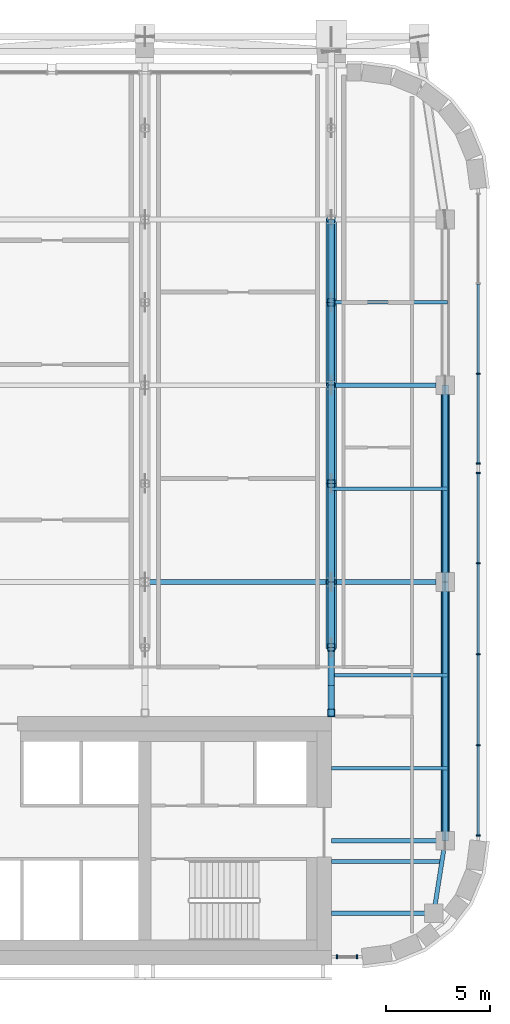
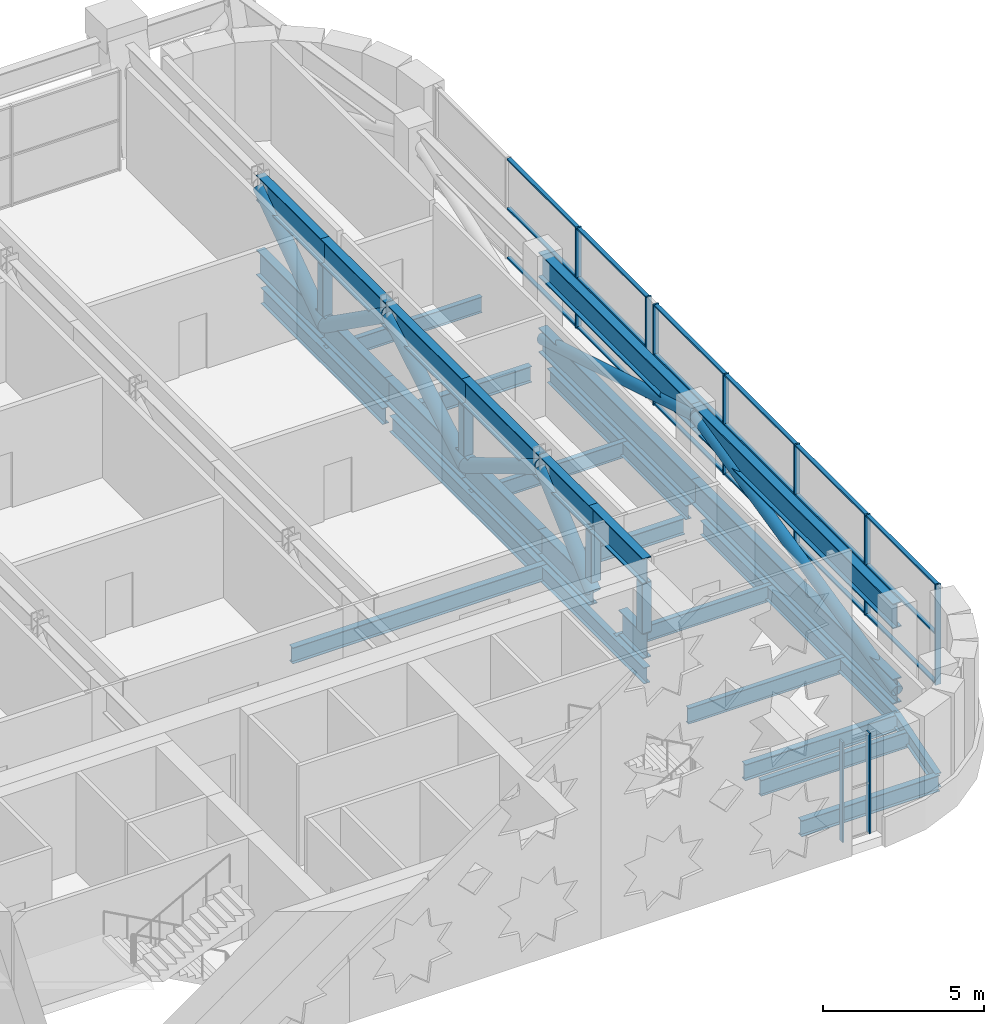
# One storey, part 11 of 26: 54 members, 14 beams, 3 elements without a shape of their own.
"""IFC4 building model written with IfcOpenShell, lengths in metres."""

from ifc_helpers import new_model, si_unit, direction, frame, origin, origin_2d, place, context, subcontext, project, spatial, rectangle, hollow_rectangle, hollow_circle, i_section, extrude, material, material_profile, profile_set, type_object, element, aggregate, save


model = new_model("IFC4")

# Units and contexts
model_context = context("Model", 3, precision=1e-05, world=origin(), true_north=direction((0.0, 1.0)))
body_context = subcontext(model_context, "Body", "Model", "MODEL_VIEW")
ifc_project = project(units=[si_unit("LENGTHUNIT", "METRE"), si_unit("AREAUNIT", "SQUARE_METRE"), si_unit("VOLUMEUNIT", "CUBIC_METRE"), si_unit("PLANEANGLEUNIT", "RADIAN"), si_unit("MASSUNIT", "GRAM", prefix="KILO")], contexts=[model_context])

# Site, building, storey
site_placement = place(None, origin())
site = spatial("IfcSite", under=ifc_project, at=site_placement, CompositionType="ELEMENT")
building_placement = place(site_placement, origin())
building = spatial("IfcBuilding", under=site, at=building_placement, Name="Zellij Exchange Tower", CompositionType="ELEMENT")
storey_placement = place(building_placement, frame((0.0, 0.0, 216.5)))
storey = spatial("IfcBuildingStorey", under=building, at=storey_placement, Name="L50", CompositionType="ELEMENT", Elevation=216.5)

# Curtain wall, members
ifc_material_1 = material(Name="Aluminium frame, clear insulating glass", Category="aluminium")
curtain_wall_type = type_object("IfcCurtainWallType", Name="ENV-CW2 Outrigger-storey glazing", PredefinedType="NOTDEFINED", material=ifc_material_1)
curtain_wall_1_placement = place(storey_placement, origin())
curtain_wall_1 = element("IfcCurtainWall", 1, at=curtain_wall_1_placement, inside=storey, type_object=curtain_wall_type, Name="cw.L50.00b", PredefinedType="NOTDEFINED")
ifc_material_2 = material(Name="Aluminium", Category="aluminium")
ifc_material_profile_1 = material_profile(ifc_material_2, rectangle(XDim=0.06005859375, YDim=0.199951171875, at=origin_2d()), Name="AL 60x200")
ifc_profile_set_1 = profile_set([ifc_material_profile_1], Name="Aluminium")
member_type_1 = type_object("IfcMemberType", Name="ENV-CW2M Mullion 60x200", PredefinedType="MULLION", material=ifc_profile_set_1)
member_1_placement = place(storey_placement, frame((27.280029296875, -13.60009765625, 0.0), z_axis=(0.0, 0.0, 1.0), x_axis=(1.0, 0.0, 0.0)))
member_1 = element("IfcMember", 2, at=member_1_placement, type_object=member_type_1, Name="CW2 mullion 1", PredefinedType="MULLION", context=body_context, shape_type="SweptSolid", body=[
    extrude(rectangle(XDim=0.06005859375, YDim=0.199951171875, at=origin_2d()), origin(), (0.0, 0.0, 1.0), 3.800048828125),
])
member_2_placement = place(storey_placement, frame((28.243896484375, -13.60009765625, 0.0), z_axis=(0.0, 0.0, 1.0), x_axis=(1.0, 0.0, 0.0)))
member_2 = element("IfcMember", 3, at=member_2_placement, type_object=member_type_1, Name="CW2 mullion 2", PredefinedType="MULLION", context=body_context, shape_type="SweptSolid", body=[
    extrude(rectangle(XDim=0.06005859375, YDim=0.199951171875, at=origin_2d()), origin(), (0.0, 0.0, 1.0), 3.800048828125),
])
aggregate(curtain_wall_1, [member_1, member_2])

curtain_wall_2_placement = place(storey_placement, origin())
curtain_wall_2 = element("IfcCurtainWall", 4, at=curtain_wall_2_placement, inside=storey, type_object=curtain_wall_type, Name="cw.L50.07a", PredefinedType="NOTDEFINED")
member_3_placement = place(storey_placement, frame((34.10009765625, -7.743896484375, 0.0), z_axis=(0.0, 0.0, 1.0), x_axis=(0.0, 1.0, 0.0)))
member_3 = element("IfcMember", 5, at=member_3_placement, type_object=member_type_1, Name="CW2 mullion 1", PredefinedType="MULLION", context=body_context, shape_type="SweptSolid", body=[
    extrude(rectangle(XDim=0.06005859375, YDim=0.199951171875, at=origin_2d()), origin(), (0.0, 0.0, 1.0), 3.800048828125),
])
member_4_placement = place(storey_placement, frame((34.10009765625, -3.38134765625, 0.0), z_axis=(0.0, 0.0, 1.0), x_axis=(0.0, 1.0, 0.0)))
member_4 = element("IfcMember", 6, at=member_4_placement, type_object=member_type_1, Name="CW2 mullion 2", PredefinedType="MULLION", context=body_context, shape_type="SweptSolid", body=[
    extrude(rectangle(XDim=0.06005859375, YDim=0.199951171875, at=origin_2d()), origin(), (0.0, 0.0, 1.0), 3.800048828125),
])
member_5_placement = place(storey_placement, frame((34.10009765625, 1.01123046875, 0.0), z_axis=(0.0, 0.0, 1.0), x_axis=(0.0, 1.0, 0.0)))
member_5 = element("IfcMember", 7, at=member_5_placement, type_object=member_type_1, Name="CW2 mullion 3", PredefinedType="MULLION", context=body_context, shape_type="SweptSolid", body=[
    extrude(rectangle(XDim=0.06005859375, YDim=0.199951171875, at=origin_2d()), origin(), (0.0, 0.0, 1.0), 3.800048828125),
])
member_6_placement = place(storey_placement, frame((34.10009765625, 5.40380859375, 0.0), z_axis=(0.0, 0.0, 1.0), x_axis=(0.0, 1.0, 0.0)))
member_6 = element("IfcMember", 8, at=member_6_placement, type_object=member_type_1, Name="CW2 mullion 4", PredefinedType="MULLION", context=body_context, shape_type="SweptSolid", body=[
    extrude(rectangle(XDim=0.06005859375, YDim=0.199951171875, at=origin_2d()), origin(), (0.0, 0.0, 1.0), 3.800048828125),
])
member_7_placement = place(storey_placement, frame((34.10009765625, 9.76611328125, 0.0), z_axis=(0.0, 0.0, 1.0), x_axis=(0.0, 1.0, 0.0)))
member_7 = element("IfcMember", 9, at=member_7_placement, type_object=member_type_1, Name="CW2 mullion 5", PredefinedType="MULLION", context=body_context, shape_type="SweptSolid", body=[
    extrude(rectangle(XDim=0.06005859375, YDim=0.199951171875, at=origin_2d()), origin(), (0.0, 0.0, 1.0), 3.800048828125),
])

curtain_wall_3_placement = place(storey_placement, origin())
curtain_wall_3 = element("IfcCurtainWall", 10, at=curtain_wall_3_placement, inside=storey, type_object=curtain_wall_type, Name="cw.L50.07b", PredefinedType="NOTDEFINED")
member_8_placement = place(storey_placement, frame((34.10009765625, 10.226318359375, 0.0), z_axis=(0.0, 0.0, 1.0), x_axis=(0.0, 1.0, 0.0)))
member_8 = element("IfcMember", 11, at=member_8_placement, type_object=member_type_1, Name="CW2 mullion 1", PredefinedType="MULLION", context=body_context, shape_type="SweptSolid", body=[
    extrude(rectangle(XDim=0.06005859375, YDim=0.199951171875, at=origin_2d()), origin(), (0.0, 0.0, 1.0), 3.800048828125),
])
member_9_placement = place(storey_placement, frame((34.10009765625, 14.555419921875, 0.0), z_axis=(0.0, 0.0, 1.0), x_axis=(0.0, 1.0, 0.0)))
member_9 = element("IfcMember", 12, at=member_9_placement, type_object=member_type_1, Name="CW2 mullion 2", PredefinedType="MULLION", context=body_context, shape_type="SweptSolid", body=[
    extrude(rectangle(XDim=0.06005859375, YDim=0.199951171875, at=origin_2d()), origin(), (0.0, 0.0, 1.0), 3.800048828125),
])

# Member
ifc_material_profile_2 = material_profile(ifc_material_2, rectangle(XDim=0.139892578125, YDim=0.06005859375, at=origin_2d()), Name="AL 140x60")
ifc_profile_set_2 = profile_set([ifc_material_profile_2], Name="Aluminium")
member_type_2 = type_object("IfcMemberType", Name="ENV-CW2T Transom 140x60", PredefinedType="USERDEFINED", material=ifc_profile_set_2)
member_10_placement = place(storey_placement, frame((34.10009765625, -7.7138671875, 0.030029296875), z_axis=(0.0, 1.0, 0.0), x_axis=(-1.0, 0.0, 0.0)))
member_10 = element("IfcMember", 13, at=member_10_placement, type_object=member_type_2, Name="CW2 transom 1.1", ObjectType="TRANSOM", PredefinedType="USERDEFINED", context=body_context, shape_type="SweptSolid", body=[
    extrude(rectangle(XDim=0.139892578125, YDim=0.06005859375, at=origin_2d()), origin(), (0.0, 0.0, 1.0), 4.302490234375),
])

member_11_placement = place(storey_placement, frame((34.10009765625, -7.7138671875, 1.89990234375), z_axis=(0.0, 1.0, 0.0), x_axis=(-1.0, 0.0, 0.0)))
member_11 = element("IfcMember", 14, at=member_11_placement, type_object=member_type_2, Name="CW2 transom 1.2", ObjectType="TRANSOM", PredefinedType="USERDEFINED", context=body_context, shape_type="SweptSolid", body=[
    extrude(rectangle(XDim=0.139892578125, YDim=0.06005859375, at=origin_2d()), origin(), (0.0, 0.0, 1.0), 4.302490234375),
])

member_12_placement = place(storey_placement, frame((34.10009765625, -7.7138671875, 3.77001953125), z_axis=(0.0, 1.0, 0.0), x_axis=(-1.0, 0.0, 0.0)))
member_12 = element("IfcMember", 15, at=member_12_placement, type_object=member_type_2, Name="CW2 transom 1.3", ObjectType="TRANSOM", PredefinedType="USERDEFINED", context=body_context, shape_type="SweptSolid", body=[
    extrude(rectangle(XDim=0.139892578125, YDim=0.06005859375, at=origin_2d()), origin(), (0.0, 0.0, 1.0), 4.302490234375),
])

member_13_placement = place(storey_placement, frame((34.10009765625, -3.351318359375, 0.030029296875), z_axis=(0.0, 1.0, 0.0), x_axis=(-1.0, 0.0, 0.0)))
member_13 = element("IfcMember", 16, at=member_13_placement, type_object=member_type_2, Name="CW2 transom 2.1", ObjectType="TRANSOM", PredefinedType="USERDEFINED", context=body_context, shape_type="SweptSolid", body=[
    extrude(rectangle(XDim=0.139892578125, YDim=0.06005859375, at=origin_2d()), origin(), (0.0, 0.0, 1.0), 4.33251953125),
])

member_14_placement = place(storey_placement, frame((34.10009765625, -3.351318359375, 1.89990234375), z_axis=(0.0, 1.0, 0.0), x_axis=(-1.0, 0.0, 0.0)))
member_14 = element("IfcMember", 17, at=member_14_placement, type_object=member_type_2, Name="CW2 transom 2.2", ObjectType="TRANSOM", PredefinedType="USERDEFINED", context=body_context, shape_type="SweptSolid", body=[
    extrude(rectangle(XDim=0.139892578125, YDim=0.06005859375, at=origin_2d()), origin(), (0.0, 0.0, 1.0), 4.33251953125),
])

member_15_placement = place(storey_placement, frame((34.10009765625, -3.351318359375, 3.77001953125), z_axis=(0.0, 1.0, 0.0), x_axis=(-1.0, 0.0, 0.0)))
member_15 = element("IfcMember", 18, at=member_15_placement, type_object=member_type_2, Name="CW2 transom 2.3", ObjectType="TRANSOM", PredefinedType="USERDEFINED", context=body_context, shape_type="SweptSolid", body=[
    extrude(rectangle(XDim=0.139892578125, YDim=0.06005859375, at=origin_2d()), origin(), (0.0, 0.0, 1.0), 4.33251953125),
])

member_16_placement = place(storey_placement, frame((34.10009765625, 1.041259765625, 0.030029296875), z_axis=(0.0, 1.0, 0.0), x_axis=(-1.0, 0.0, 0.0)))
member_16 = element("IfcMember", 19, at=member_16_placement, type_object=member_type_2, Name="CW2 transom 3.1", ObjectType="TRANSOM", PredefinedType="USERDEFINED", context=body_context, shape_type="SweptSolid", body=[
    extrude(rectangle(XDim=0.139892578125, YDim=0.06005859375, at=origin_2d()), origin(), (0.0, 0.0, 1.0), 4.33251953125),
])

member_17_placement = place(storey_placement, frame((34.10009765625, 1.041259765625, 1.89990234375), z_axis=(0.0, 1.0, 0.0), x_axis=(-1.0, 0.0, 0.0)))
member_17 = element("IfcMember", 20, at=member_17_placement, type_object=member_type_2, Name="CW2 transom 3.2", ObjectType="TRANSOM", PredefinedType="USERDEFINED", context=body_context, shape_type="SweptSolid", body=[
    extrude(rectangle(XDim=0.139892578125, YDim=0.06005859375, at=origin_2d()), origin(), (0.0, 0.0, 1.0), 4.33251953125),
])

member_18_placement = place(storey_placement, frame((34.10009765625, 1.041259765625, 3.77001953125), z_axis=(0.0, 1.0, 0.0), x_axis=(-1.0, 0.0, 0.0)))
member_18 = element("IfcMember", 21, at=member_18_placement, type_object=member_type_2, Name="CW2 transom 3.3", ObjectType="TRANSOM", PredefinedType="USERDEFINED", context=body_context, shape_type="SweptSolid", body=[
    extrude(rectangle(XDim=0.139892578125, YDim=0.06005859375, at=origin_2d()), origin(), (0.0, 0.0, 1.0), 4.33251953125),
])

member_19_placement = place(storey_placement, frame((34.10009765625, 5.43359375, 0.030029296875), z_axis=(0.0, 1.0, 0.0), x_axis=(-1.0, 0.0, 0.0)))
member_19 = element("IfcMember", 22, at=member_19_placement, type_object=member_type_2, Name="CW2 transom 4.1", ObjectType="TRANSOM", PredefinedType="USERDEFINED", context=body_context, shape_type="SweptSolid", body=[
    extrude(rectangle(XDim=0.139892578125, YDim=0.06005859375, at=origin_2d()), origin(), (0.0, 0.0, 1.0), 4.302490234375),
])

member_20_placement = place(storey_placement, frame((34.10009765625, 5.43359375, 1.89990234375), z_axis=(0.0, 1.0, 0.0), x_axis=(-1.0, 0.0, 0.0)))
member_20 = element("IfcMember", 23, at=member_20_placement, type_object=member_type_2, Name="CW2 transom 4.2", ObjectType="TRANSOM", PredefinedType="USERDEFINED", context=body_context, shape_type="SweptSolid", body=[
    extrude(rectangle(XDim=0.139892578125, YDim=0.06005859375, at=origin_2d()), origin(), (0.0, 0.0, 1.0), 4.302490234375),
])

member_21_placement = place(storey_placement, frame((34.10009765625, 5.43359375, 3.77001953125), z_axis=(0.0, 1.0, 0.0), x_axis=(-1.0, 0.0, 0.0)))
member_21 = element("IfcMember", 24, at=member_21_placement, type_object=member_type_2, Name="CW2 transom 4.3", ObjectType="TRANSOM", PredefinedType="USERDEFINED", context=body_context, shape_type="SweptSolid", body=[
    extrude(rectangle(XDim=0.139892578125, YDim=0.06005859375, at=origin_2d()), origin(), (0.0, 0.0, 1.0), 4.302490234375),
])

aggregate(curtain_wall_2, [member_3, member_4, member_5, member_6, member_7, member_10, member_11, member_12, member_13, member_14, member_15, member_16, member_17, member_18, member_19, member_20, member_21])

member_22_placement = place(storey_placement, frame((34.10009765625, 10.256103515625, 0.030029296875), z_axis=(0.0, 1.0, 0.0), x_axis=(-1.0, 0.0, 0.0)))
member_22 = element("IfcMember", 25, at=member_22_placement, type_object=member_type_2, Name="CW2 transom 1.1", ObjectType="TRANSOM", PredefinedType="USERDEFINED", context=body_context, shape_type="SweptSolid", body=[
    extrude(rectangle(XDim=0.139892578125, YDim=0.06005859375, at=origin_2d()), origin(), (0.0, 0.0, 1.0), 4.269287109375),
])

member_23_placement = place(storey_placement, frame((34.10009765625, 10.256103515625, 1.89990234375), z_axis=(0.0, 1.0, 0.0), x_axis=(-1.0, 0.0, 0.0)))
member_23 = element("IfcMember", 26, at=member_23_placement, type_object=member_type_2, Name="CW2 transom 1.2", ObjectType="TRANSOM", PredefinedType="USERDEFINED", context=body_context, shape_type="SweptSolid", body=[
    extrude(rectangle(XDim=0.139892578125, YDim=0.06005859375, at=origin_2d()), origin(), (0.0, 0.0, 1.0), 4.269287109375),
])

member_24_placement = place(storey_placement, frame((34.10009765625, 10.256103515625, 3.77001953125), z_axis=(0.0, 1.0, 0.0), x_axis=(-1.0, 0.0, 0.0)))
member_24 = element("IfcMember", 27, at=member_24_placement, type_object=member_type_2, Name="CW2 transom 1.3", ObjectType="TRANSOM", PredefinedType="USERDEFINED", context=body_context, shape_type="SweptSolid", body=[
    extrude(rectangle(XDim=0.139892578125, YDim=0.06005859375, at=origin_2d()), origin(), (0.0, 0.0, 1.0), 4.269287109375),
])

member_25_placement = place(storey_placement, frame((34.10009765625, 14.58544921875, 0.030029296875), z_axis=(0.0, 1.0, 0.0), x_axis=(-1.0, 0.0, 0.0)))
member_25 = element("IfcMember", 28, at=member_25_placement, type_object=member_type_2, Name="CW2 transom 2.1", ObjectType="TRANSOM", PredefinedType="USERDEFINED", context=body_context, shape_type="SweptSolid", body=[
    extrude(rectangle(XDim=0.139892578125, YDim=0.06005859375, at=origin_2d()), origin(), (0.0, 0.0, 1.0), 4.299072265625),
])

member_26_placement = place(storey_placement, frame((34.10009765625, 14.58544921875, 1.89990234375), z_axis=(0.0, 1.0, 0.0), x_axis=(-1.0, 0.0, 0.0)))
member_26 = element("IfcMember", 29, at=member_26_placement, type_object=member_type_2, Name="CW2 transom 2.2", ObjectType="TRANSOM", PredefinedType="USERDEFINED", context=body_context, shape_type="SweptSolid", body=[
    extrude(rectangle(XDim=0.139892578125, YDim=0.06005859375, at=origin_2d()), origin(), (0.0, 0.0, 1.0), 4.299072265625),
])

member_27_placement = place(storey_placement, frame((34.10009765625, 14.58544921875, 3.77001953125), z_axis=(0.0, 1.0, 0.0), x_axis=(-1.0, 0.0, 0.0)))
member_27 = element("IfcMember", 30, at=member_27_placement, type_object=member_type_2, Name="CW2 transom 2.3", ObjectType="TRANSOM", PredefinedType="USERDEFINED", context=body_context, shape_type="SweptSolid", body=[
    extrude(rectangle(XDim=0.139892578125, YDim=0.06005859375, at=origin_2d()), origin(), (0.0, 0.0, 1.0), 4.299072265625),
])

aggregate(curtain_wall_3, [member_8, member_9, member_22, member_23, member_24, member_25, member_26, member_27])

# Beams
ifc_material_3 = material(Name="Structural steel ASTM A992 Gr 50", Category="steel")
ifc_material_profile_3 = material_profile(ifc_material_3, i_section(OverallWidth=0.177978515625, OverallDepth=0.599365234375, WebThickness=0.010009765625, FlangeThickness=0.012939453125, at=origin_2d()), Name="W24x55")
ifc_profile_set_3 = profile_set([ifc_material_profile_3], Name="Structural steel ASTM A992 Gr 50")
beam_type_1 = type_object("IfcBeamType", Name="STR-BEAM W24x55", PredefinedType="BEAM", material=ifc_profile_set_3)
beam_1_placement = place(storey_placement, frame((27.0, -9.0, -0.649658203125), z_axis=(1.0, 0.0, 0.0), x_axis=(0.0, 1.0, 0.0)))
element("IfcBeam", 31, at=beam_1_placement, inside=storey, type_object=beam_type_1, Name="B4", PredefinedType="BEAM", context=body_context, shape_type="SweptSolid", body=[
    extrude(i_section(OverallWidth=0.177978515625, OverallDepth=0.599365234375, WebThickness=0.010009765625, FlangeThickness=0.012939453125, at=origin_2d()), origin(), (0.0, 0.0, 1.0), 5.44873046875),
])
for number, where, z_axis, x_axis, name in (
    (32, (27.0, -4.5, -0.649658203125), (1.0, 0.0, 0.0), (0.0, 1.0, 0.0), "B4"),
    (33, (27.0, 0.0, -0.649658203125), (1.0, 0.0, 0.0), (0.0, 1.0, 0.0), "B4"),
    (34, (27.0, 9.0, -0.649658203125), (1.0, 0.0, 0.0), (0.0, 1.0, 0.0), "B4"),
    (35, (27.0, 18.0, -0.649658203125), (1.0, 0.0, 0.0), (0.0, 1.0, 0.0), "B4"),
):
    element("IfcBeam", number, at=place(storey_placement, frame(where, z_axis=z_axis, x_axis=x_axis)), inside=storey, type_object=beam_type_1, Name=name, PredefinedType="BEAM", context=body_context, shape_type="SweptSolid", body=[
        extrude(i_section(OverallWidth=0.177978515625, OverallDepth=0.599365234375, WebThickness=0.010009765625, FlangeThickness=0.012939453125, at=origin_2d()), origin(), (0.0, 0.0, 1.0), 5.6044921875),
    ])

# Members
ifc_material_profile_4 = material_profile(ifc_material_3, i_section(OverallWidth=0.307373046875, OverallDepth=0.9423828125, WebThickness=0.022216796875, FlangeThickness=0.039794921875, at=origin_2d()), Name="W36x232")
ifc_profile_set_4 = profile_set([ifc_material_profile_4], Name="Structural steel ASTM A992 Gr 50")
member_type_3 = type_object("IfcMemberType", Name="STR-BELT TRUSS CHORD W36x232", PredefinedType="CHORD", material=ifc_profile_set_4)
for number, where, z_axis, x_axis, name in (
    (36, (32.5, -8.0, 0.47119140625), (0.0, 1.0, 0.0), (-1.0, 0.0, 0.0), "BT1"),
    (37, (32.5, -8.0, 3.328857421875), (0.0, 1.0, 0.0), (-1.0, 0.0, 0.0), "BT1"),
):
    element("IfcMember", number, at=place(storey_placement, frame(where, z_axis=z_axis, x_axis=x_axis)), inside=storey, type_object=member_type_3, Name=name, PredefinedType="CHORD", context=body_context, shape_type="SweptSolid", body=[
        extrude(i_section(OverallWidth=0.307373046875, OverallDepth=0.9423828125, WebThickness=0.022216796875, FlangeThickness=0.039794921875, at=origin_2d()), origin(), (0.0, 0.0, 1.0), 12.5),
    ])
for number, where, z_axis, x_axis, name in (
    (38, (32.5, 4.5, 0.47119140625), (0.0, 1.0, 0.0), (-1.0, 0.0, 0.0), "BT1"),
    (39, (32.5, 4.5, 3.328857421875), (0.0, 1.0, 0.0), (-1.0, 0.0, 0.0), "BT1"),
):
    element("IfcMember", number, at=place(storey_placement, frame(where, z_axis=z_axis, x_axis=x_axis)), inside=storey, type_object=member_type_3, Name=name, PredefinedType="CHORD", context=body_context, shape_type="SweptSolid", body=[
        extrude(i_section(OverallWidth=0.307373046875, OverallDepth=0.9423828125, WebThickness=0.022216796875, FlangeThickness=0.039794921875, at=origin_2d()), origin(), (0.0, 0.0, 1.0), 9.5),
    ])
ifc_material_4 = material(Name="Structural steel ASTM A500 Gr C", Category="steel")
ifc_material_profile_5 = material_profile(ifc_material_4, hollow_circle(Radius=0.203125, WallThickness=0.01171875, at=origin_2d()), Name="STR-BELT TRUSS DIAGONAL HSS16.000x0.500")
ifc_profile_set_5 = profile_set([ifc_material_profile_5], Name="Structural steel ASTM A500 Gr C")
member_type_4 = type_object("IfcMemberType", Name="STR-BELT TRUSS DIAGONAL HSS16.000x0.500", PredefinedType="BRACE", material=ifc_profile_set_5)
member_28_placement = place(storey_placement, frame((32.5, -8.0, 0.47119140625), z_axis=(0.0, 0.974849643102, 0.222863575635), x_axis=(-1.0, 0.0, 0.0)))
element("IfcMember", 40, at=member_28_placement, inside=storey, type_object=member_type_4, Name="BT2", PredefinedType="BRACE", context=body_context, shape_type="SweptSolid", body=[
    extrude(hollow_circle(Radius=0.203125, WallThickness=0.01171875, at=origin_2d()), origin(), (0.0, 0.0, 1.0), 12.822509765625),
])
member_29_placement = place(storey_placement, frame((32.5, 4.5, 3.328857421875), z_axis=(0.0, 0.957613340709, -0.288056747353), x_axis=(-1.0, 0.0, 0.0)))
element("IfcMember", 41, at=member_29_placement, inside=storey, type_object=member_type_4, Name="BT2", PredefinedType="BRACE", context=body_context, shape_type="SweptSolid", body=[
    extrude(hollow_circle(Radius=0.203125, WallThickness=0.01171875, at=origin_2d()), origin(), (0.0, 0.0, 1.0), 9.92041015625),
])

# Beams
ifc_material_profile_6 = material_profile(ifc_material_3, i_section(OverallWidth=0.209228515625, OverallDepth=0.533447265625, WebThickness=0.01025390625, FlangeThickness=0.015625, at=origin_2d()), Name="W21x62")
ifc_profile_set_6 = profile_set([ifc_material_profile_6], Name="Structural steel ASTM A992 Gr 50")
beam_type_2 = type_object("IfcBeamType", Name="STR-EDGE GIRDER W21x62", PredefinedType="BEAM", material=ifc_profile_set_6)
beam_2_placement = place(storey_placement, frame((31.949951171875, -11.5, -0.61669921875), z_axis=(0.155251283593, 0.987875011802, 0.0), x_axis=(-0.987875011802, 0.155251283593, 0.0)))
element("IfcBeam", 42, at=beam_2_placement, inside=storey, type_object=beam_type_2, Name="EB3", PredefinedType="BEAM", context=body_context, shape_type="SweptSolid", body=[
    extrude(i_section(OverallWidth=0.209228515625, OverallDepth=0.533447265625, WebThickness=0.01025390625, FlangeThickness=0.015625, at=origin_2d()), origin(), (0.0, 0.0, 1.0), 3.54296875),
])
beam_3_placement = place(storey_placement, frame((32.5, -8.0, -0.61669921875), z_axis=(0.0, 1.0, 0.0), x_axis=(-1.0, 0.0, 0.0)))
element("IfcBeam", 43, at=beam_3_placement, inside=storey, type_object=beam_type_2, Name="EB3", PredefinedType="BEAM", context=body_context, shape_type="SweptSolid", body=[
    extrude(i_section(OverallWidth=0.209228515625, OverallDepth=0.533447265625, WebThickness=0.01025390625, FlangeThickness=0.015625, at=origin_2d()), origin(), (0.0, 0.0, 1.0), 12.050048828125),
])
beam_4_placement = place(storey_placement, frame((32.5, 4.949951171875, -0.61669921875), z_axis=(0.0, 1.0, 0.0), x_axis=(-1.0, 0.0, 0.0)))
element("IfcBeam", 44, at=beam_4_placement, inside=storey, type_object=beam_type_2, Name="EB3", PredefinedType="BEAM", context=body_context, shape_type="SweptSolid", body=[
    extrude(i_section(OverallWidth=0.209228515625, OverallDepth=0.533447265625, WebThickness=0.01025390625, FlangeThickness=0.015625, at=origin_2d()), origin(), (0.0, 0.0, 1.0), 8.60009765625),
])
ifc_material_profile_7 = material_profile(ifc_material_3, i_section(OverallWidth=0.228271484375, OverallDepth=0.607177734375, WebThickness=0.01123046875, FlangeThickness=0.017333984375, at=origin_2d()), Name="W24x76")
ifc_profile_set_7 = profile_set([ifc_material_profile_7], Name="Structural steel ASTM A992 Gr 50")
beam_type_3 = type_object("IfcBeamType", Name="STR-GIRDER W24x76", PredefinedType="BEAM", material=ifc_profile_set_7)
beam_5_placement = place(storey_placement, frame((27.0, -11.5, -0.653564453125), z_axis=(1.0, 0.0, 0.0), x_axis=(0.0, 1.0, 0.0)))
element("IfcBeam", 45, at=beam_5_placement, inside=storey, type_object=beam_type_3, Name="G2", PredefinedType="BEAM", context=body_context, shape_type="SweptSolid", body=[
    extrude(i_section(OverallWidth=0.228271484375, OverallDepth=0.607177734375, WebThickness=0.01123046875, FlangeThickness=0.017333984375, at=origin_2d()), origin(), (0.0, 0.0, 1.0), 4.949951171875),
])
beam_6_placement = place(storey_placement, frame((27.0, -8.0, -0.653564453125), z_axis=(1.0, 0.0, 0.0), x_axis=(0.0, 1.0, 0.0)))
element("IfcBeam", 46, at=beam_6_placement, inside=storey, type_object=beam_type_3, Name="G2", PredefinedType="BEAM", context=body_context, shape_type="SweptSolid", body=[
    extrude(i_section(OverallWidth=0.228271484375, OverallDepth=0.607177734375, WebThickness=0.01123046875, FlangeThickness=0.017333984375, at=origin_2d()), origin(), (0.0, 0.0, 1.0), 5.5),
])
beam_7_placement = place(storey_placement, frame((18.0, 4.5, -0.653564453125), z_axis=(1.0, 0.0, 0.0), x_axis=(0.0, 1.0, 0.0)))
element("IfcBeam", 47, at=beam_7_placement, inside=storey, type_object=beam_type_3, Name="G2", PredefinedType="BEAM", context=body_context, shape_type="SweptSolid", body=[
    extrude(i_section(OverallWidth=0.228271484375, OverallDepth=0.607177734375, WebThickness=0.01123046875, FlangeThickness=0.017333984375, at=origin_2d()), origin(), (0.0, 0.0, 1.0), 14.050048828125),
])
beam_8_placement = place(storey_placement, frame((27.20458984375, 14.0, -0.653564453125), z_axis=(1.0, 0.0, 0.0), x_axis=(0.0, 1.0, 0.0)))
element("IfcBeam", 48, at=beam_8_placement, inside=storey, type_object=beam_type_3, Name="G2", PredefinedType="BEAM", context=body_context, shape_type="SweptSolid", body=[
    extrude(i_section(OverallWidth=0.228271484375, OverallDepth=0.607177734375, WebThickness=0.01123046875, FlangeThickness=0.017333984375, at=origin_2d()), origin(), (0.0, 0.0, 1.0), 4.845458984375),
])
beam_9_placement = place(storey_placement, frame((27.0, -2.0, -0.653564453125), z_axis=(0.0, 1.0, 0.0), x_axis=(-1.0, 0.0, 0.0)))
element("IfcBeam", 49, at=beam_9_placement, inside=storey, type_object=beam_type_3, Name="G2", PredefinedType="BEAM", context=body_context, shape_type="SweptSolid", body=[
    extrude(i_section(OverallWidth=0.228271484375, OverallDepth=0.607177734375, WebThickness=0.01123046875, FlangeThickness=0.017333984375, at=origin_2d()), origin(), (0.0, 0.0, 1.0), 15.787841796875),
])
beam_10_placement = place(storey_placement, frame((27.0, 14.212158203125, -0.653564453125), z_axis=(0.0, 1.0, 0.0), x_axis=(-1.0, 0.0, 0.0)))
element("IfcBeam", 50, at=beam_10_placement, inside=storey, type_object=beam_type_3, Name="G2", PredefinedType="BEAM", context=body_context, shape_type="SweptSolid", body=[
    extrude(i_section(OverallWidth=0.228271484375, OverallDepth=0.607177734375, WebThickness=0.01123046875, FlangeThickness=0.017333984375, at=origin_2d()), origin(), (0.0, 0.0, 1.0), 7.57568359375),
])

# Members
ifc_material_5 = material(Name="Structural steel ASTM A913 Gr 65", Category="steel")
ifc_material_profile_8 = material_profile(ifc_material_5, i_section(OverallWidth=0.2998046875, OverallDepth=0.965087890625, WebThickness=0.01904296875, FlangeThickness=0.0361328125, at=origin_2d()), Name="W40x249")
ifc_profile_set_8 = profile_set([ifc_material_profile_8], Name="Structural steel ASTM A913 Gr 65")
member_type_5 = type_object("IfcMemberType", Name="STR-OUTRIGGER TRUSS CHORD W40x249", PredefinedType="CHORD", material=ifc_profile_set_8)
member_30_placement = place(storey_placement, frame((27.0, -2.0, 3.3173828125), z_axis=(0.0, 1.0, 0.0), x_axis=(-1.0, 0.0, 0.0)))
element("IfcMember", 51, at=member_30_placement, inside=storey, type_object=member_type_5, Name="OT1", PredefinedType="CHORD", context=body_context, shape_type="SweptSolid", body=[
    extrude(i_section(OverallWidth=0.2998046875, OverallDepth=0.965087890625, WebThickness=0.01904296875, FlangeThickness=0.0361328125, at=origin_2d()), origin(), (0.0, 0.0, 1.0), 3.339111328125),
])
member_31_placement = place(storey_placement, frame((27.0, -2.0, 0.482666015625), z_axis=(0.0, 1.0, 0.0), x_axis=(-1.0, 0.0, 0.0)))
element("IfcMember", 52, at=member_31_placement, inside=storey, type_object=member_type_5, Name="OT1", PredefinedType="CHORD", context=body_context, shape_type="SweptSolid", body=[
    extrude(i_section(OverallWidth=0.2998046875, OverallDepth=0.965087890625, WebThickness=0.01904296875, FlangeThickness=0.0361328125, at=origin_2d()), origin(), (0.0, 0.0, 1.0), 1.5),
])
for number, where, z_axis, x_axis, name in (
    (53, (27.0, 1.339111328125, 3.3173828125), (0.0, 1.0, 0.0), (-1.0, 0.0, 0.0), "OT1"),
    (54, (27.0, 1.339111328125, 0.482666015625), (0.0, 1.0, 0.0), (-1.0, 0.0, 0.0), "OT1"),
):
    element("IfcMember", number, at=place(storey_placement, frame(where, z_axis=z_axis, x_axis=x_axis)), inside=storey, type_object=member_type_5, Name=name, PredefinedType="CHORD", context=body_context, shape_type="SweptSolid", body=[
        extrude(i_section(OverallWidth=0.2998046875, OverallDepth=0.965087890625, WebThickness=0.01904296875, FlangeThickness=0.0361328125, at=origin_2d()), origin(), (0.0, 0.0, 1.0), 3.160888671875),
    ])
for number, where, z_axis, x_axis, name in (
    (55, (27.0, 4.5, 3.3173828125), (0.0, 1.0, 0.0), (-1.0, 0.0, 0.0), "OT1"),
    (56, (27.0, 4.5, 0.482666015625), (0.0, 1.0, 0.0), (-1.0, 0.0, 0.0), "OT1"),
    (57, (27.0, 9.25, 3.3173828125), (0.0, 1.0, 0.0), (-1.0, 0.0, 0.0), "OT1"),
    (58, (27.0, 9.25, 0.482666015625), (0.0, 1.0, 0.0), (-1.0, 0.0, 0.0), "OT1"),
):
    element("IfcMember", number, at=place(storey_placement, frame(where, z_axis=z_axis, x_axis=x_axis)), inside=storey, type_object=member_type_5, Name=name, PredefinedType="CHORD", context=body_context, shape_type="SweptSolid", body=[
        extrude(i_section(OverallWidth=0.2998046875, OverallDepth=0.965087890625, WebThickness=0.01904296875, FlangeThickness=0.0361328125, at=origin_2d()), origin(), (0.0, 0.0, 1.0), 4.75),
    ])
for number, where, z_axis, x_axis, name in (
    (59, (27.0, 14.0, 3.3173828125), (0.0, 1.0, 0.0), (-1.0, 0.0, 0.0), "OT1"),
    (60, (27.0, 14.0, 0.482666015625), (0.0, 1.0, 0.0), (-1.0, 0.0, 0.0), "OT1"),
    (61, (27.0, 18.0, 3.3173828125), (0.0, 1.0, 0.0), (-1.0, 0.0, 0.0), "OT1"),
    (62, (27.0, 18.0, 0.482666015625), (0.0, 1.0, 0.0), (-1.0, 0.0, 0.0), "OT1"),
):
    element("IfcMember", number, at=place(storey_placement, frame(where, z_axis=z_axis, x_axis=x_axis)), inside=storey, type_object=member_type_5, Name=name, PredefinedType="CHORD", context=body_context, shape_type="SweptSolid", body=[
        extrude(i_section(OverallWidth=0.2998046875, OverallDepth=0.965087890625, WebThickness=0.01904296875, FlangeThickness=0.0361328125, at=origin_2d()), origin(), (0.0, 0.0, 1.0), 4.0),
    ])
ifc_material_profile_9 = material_profile(ifc_material_4, hollow_circle(Radius=0.25390625, WallThickness=0.01171875, at=origin_2d()), Name="STR-OUTRIGGER TRUSS DIAGONAL HSS20.000x0.500")
ifc_profile_set_9 = profile_set([ifc_material_profile_9], Name="Structural steel ASTM A500 Gr C")
member_type_6 = type_object("IfcMemberType", Name="STR-OUTRIGGER TRUSS DIAGONAL HSS20.000x0.500", PredefinedType="BRACE", material=ifc_profile_set_9)
member_32_placement = place(storey_placement, frame((27.0, 1.339111328125, 0.482666015625), z_axis=(0.0, 0.744473836996, 0.667651635233), x_axis=(-1.0, 0.0, 0.0)))
element("IfcMember", 63, at=member_32_placement, inside=storey, type_object=member_type_6, Name="OT2", PredefinedType="BRACE", context=body_context, shape_type="SweptSolid", body=[
    extrude(hollow_circle(Radius=0.25390625, WallThickness=0.01171875, at=origin_2d()), origin(), (0.0, 0.0, 1.0), 4.245849609375),
])
for number, where, z_axis, x_axis, name in (
    (64, (27.0, 4.5, 3.3173828125), (0.0, 0.858709450823, -0.512462758712), (-1.0, 0.0, 0.0), "OT2"),
    (65, (27.0, 9.25, 0.482666015625), (0.0, 0.858709450823, 0.512462758712), (-1.0, 0.0, 0.0), "OT2"),
):
    element("IfcMember", number, at=place(storey_placement, frame(where, z_axis=z_axis, x_axis=x_axis)), inside=storey, type_object=member_type_6, Name=name, PredefinedType="BRACE", context=body_context, shape_type="SweptSolid", body=[
        extrude(hollow_circle(Radius=0.25390625, WallThickness=0.01171875, at=origin_2d()), origin(), (0.0, 0.0, 1.0), 5.531494140625),
    ])
for number, where, z_axis, x_axis, name in (
    (66, (27.0, 14.0, 3.3173828125), (0.0, 0.815891357609, -0.57820523396), (-1.0, 0.0, 0.0), "OT2"),
    (67, (27.0, 18.0, 0.482666015625), (0.0, 0.815891357609, 0.57820523396), (-1.0, 0.0, 0.0), "OT2"),
):
    element("IfcMember", number, at=place(storey_placement, frame(where, z_axis=z_axis, x_axis=x_axis)), inside=storey, type_object=member_type_6, Name=name, PredefinedType="BRACE", context=body_context, shape_type="SweptSolid", body=[
        extrude(hollow_circle(Radius=0.25390625, WallThickness=0.01171875, at=origin_2d()), origin(), (0.0, 0.0, 1.0), 4.902587890625),
    ])
ifc_material_profile_10 = material_profile(ifc_material_4, hollow_rectangle(XDim=0.355712890625, YDim=0.355712890625, WallThickness=0.01171875, InnerFilletRadius=0.01171875, OuterFilletRadius=0.023681640625, at=origin_2d()), Name="STR-OUTRIGGER TRUSS POST HSS14x14x1/2")
ifc_profile_set_10 = profile_set([ifc_material_profile_10], Name="Structural steel ASTM A500 Gr C")
member_type_7 = type_object("IfcMemberType", Name="STR-OUTRIGGER TRUSS POST HSS14x14x1/2", PredefinedType="POST", material=ifc_profile_set_10)
for number, where, z_axis, x_axis, name in (
    (68, (27.0, -1.822265625, 0.965087890625), (0.0, 0.0, 1.0), (1.0, 0.0, 0.0), "OT3"),
    (69, (27.0, 1.339111328125, 0.965087890625), (0.0, 0.0, 1.0), (1.0, 0.0, 0.0), "OT3"),
    (70, (27.0, 9.25, 0.965087890625), (0.0, 0.0, 1.0), (1.0, 0.0, 0.0), "OT3"),
    (71, (27.0, 18.0, 0.965087890625), (0.0, 0.0, 1.0), (1.0, 0.0, 0.0), "OT3"),
):
    element("IfcMember", number, at=place(storey_placement, frame(where, z_axis=z_axis, x_axis=x_axis)), inside=storey, type_object=member_type_7, Name=name, PredefinedType="POST", context=body_context, shape_type="SweptSolid", body=[
        extrude(hollow_rectangle(XDim=0.355712890625, YDim=0.355712890625, WallThickness=0.01171875, InnerFilletRadius=0.01171875, OuterFilletRadius=0.023681640625, at=origin_2d()), origin(), (0.0, 0.0, 1.0), 1.86962890625),
    ])

save(model, "model.ifc")
